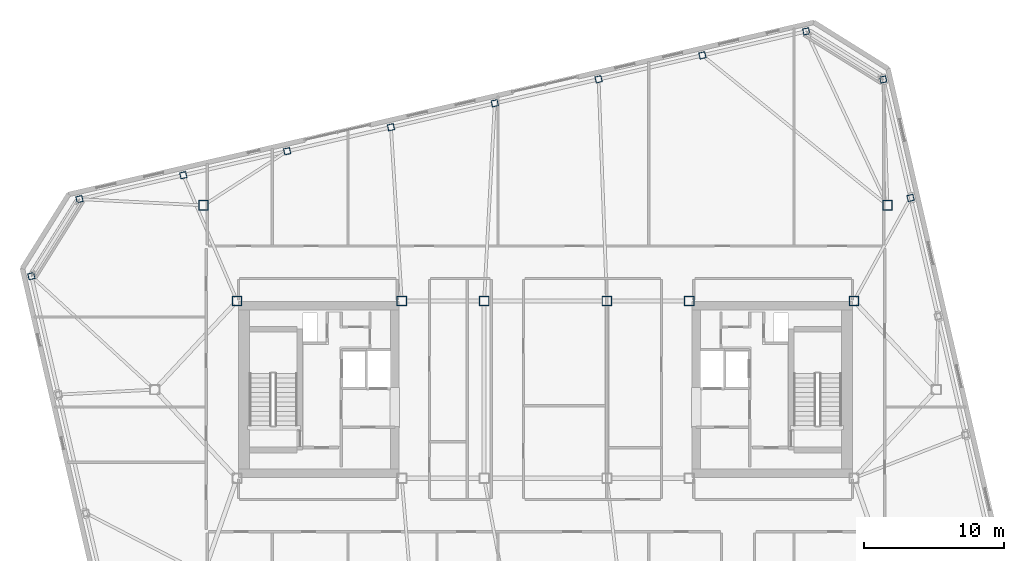
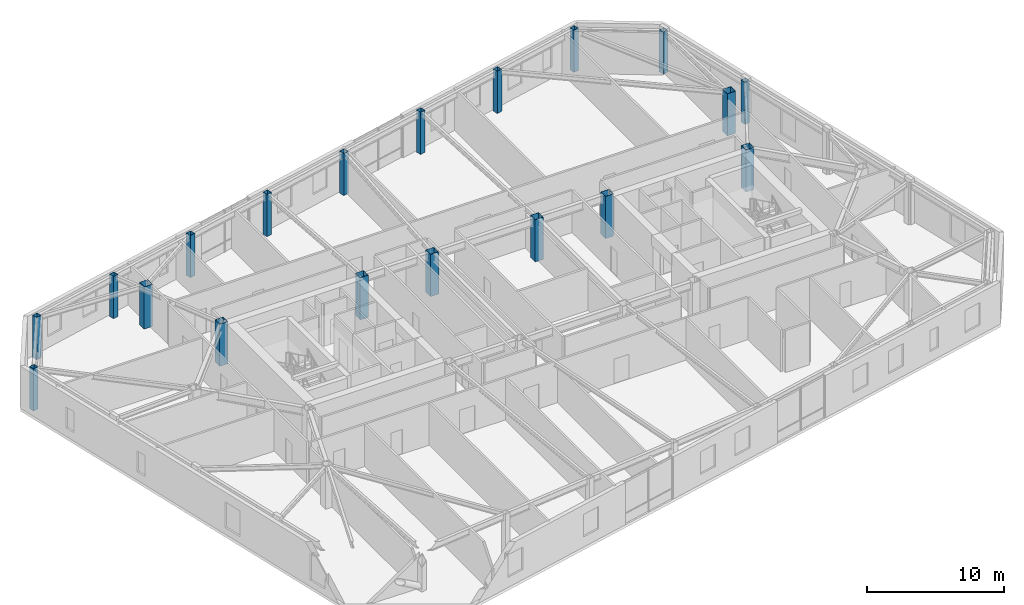
# One storey, part 2 of 23: 19 columns.
"""IFC4 building model written with IfcOpenShell, lengths in metres."""

from ifc_helpers import new_model, si_unit, direction, frame, origin, origin_2d, place, context, subcontext, project, spatial, hollow_rectangle, extrude, material, material_profile, profile_set, type_object, element, save


model = new_model("IFC4")

# Units and contexts
model_context = context("Model", 3, precision=1e-05, world=origin(), true_north=direction((0.0, 1.0)))
body_context = subcontext(model_context, "Body", "Model", "MODEL_VIEW")
ifc_project = project(units=[si_unit("LENGTHUNIT", "METRE"), si_unit("AREAUNIT", "SQUARE_METRE"), si_unit("VOLUMEUNIT", "CUBIC_METRE"), si_unit("PLANEANGLEUNIT", "RADIAN"), si_unit("MASSUNIT", "GRAM", prefix="KILO")], contexts=[model_context])

# Site, building, storey
site_placement = place(None, origin())
site = spatial("IfcSite", under=ifc_project, at=site_placement, CompositionType="ELEMENT")
building_placement = place(site_placement, origin())
building = spatial("IfcBuilding", under=site, at=building_placement, Name="Tavrogorsk Clinical Tower", CompositionType="ELEMENT")
storey_placement = place(building_placement, frame((0.0, 0.0, 301.0)))
storey = spatial("IfcBuildingStorey", under=building, at=storey_placement, Name="L70", CompositionType="ELEMENT", Elevation=301.0)

# Columns
ifc_material_1 = material(Name="Structural steel S440", Category="steel")
ifc_material_profile_1 = material_profile(ifc_material_1, hollow_rectangle(XDim=0.699951171875, YDim=0.699951171875, WallThickness=0.031982421875, at=origin_2d()), Name="BOX-700x700x32")
ifc_profile_set_1 = profile_set([ifc_material_profile_1], Name="Structural steel S440")
column_type_1 = type_object("IfcColumnType", Name="MegaCol_BOX700", PredefinedType="COLUMN", material=ifc_profile_set_1)
for number, where, z_axis, x_axis, name in (
    (1, (-22.10009765625, 6.35009765625, 0.0), (0.0, 0.0, 1.0), (1.0, 0.0, 0.0), "L70 Mega Column MC-W2"),
    (2, (-10.300048828125, 6.35009765625, 0.0), (0.0, 0.0, 1.0), (1.0, 0.0, 0.0), "L70 Mega Column MC-W4"),
    (3, (10.300048828125, 6.35009765625, 0.0), (0.0, 0.0, 1.0), (1.0, 0.0, 0.0), "L70 Mega Column MC-E2"),
    (4, (22.10009765625, 6.35009765625, 0.0), (0.0, 0.0, 1.0), (1.0, 0.0, 0.0), "L70 Mega Column MC-E4"),
    (5, (-4.39990234375, 6.35009765625, 0.0), (0.0, 0.0, 1.0), (1.0, 0.0, 0.0), "L70 Mega Column MC-C3"),
    (6, (4.39990234375, 6.35009765625, 0.0), (0.0, 0.0, 1.0), (1.0, 0.0, 0.0), "L70 Mega Column MC-C4"),
    (7, (-24.5, 13.199951171875, 0.0), (0.0, 0.0, 1.0), (1.0, 0.0, 0.0), "L70 Spine Pilotis Column MC-P3"),
    (8, (24.5, 13.199951171875, 0.0), (0.0, 0.0, 1.0), (1.0, 0.0, 0.0), "L70 Spine Pilotis Column MC-P4"),
):
    element("IfcColumn", number, at=place(storey_placement, frame(where, z_axis=z_axis, x_axis=x_axis)), inside=storey, type_object=column_type_1, Name=name, PredefinedType="COLUMN", context=body_context, shape_type="SweptSolid", body=[
        extrude(hollow_rectangle(XDim=0.699951171875, YDim=0.699951171875, WallThickness=0.031982421875, at=origin_2d()), origin(), (0.0, 0.0, 1.0), 3.739990234375),
    ])
ifc_material_2 = material(Name="Structural steel S440", Category="steel")
ifc_material_profile_2 = material_profile(ifc_material_2, hollow_rectangle(XDim=0.449951171875, YDim=0.449951171875, WallThickness=0.02197265625, at=origin_2d()), Name="BOX-450x450x22")
ifc_profile_set_2 = profile_set([ifc_material_profile_2], Name="Structural steel S440")
column_type_2 = type_object("IfcColumnType", Name="PerimCol_B5_BOX450", PredefinedType="COLUMN", material=ifc_profile_set_2)
for number, where, z_axis, x_axis, name in (
    (9, (18.681640625, 25.666259765625, 0.0), (0.0, 0.0, 1.0), (0.974370064785, 0.224951054344, 0.0), "L70 Perimeter Column N1"),
    (10, (11.2431640625, 23.948974609375, 0.0), (0.0, 0.0, 1.0), (0.974370064785, 0.224951054344, 0.0), "L70 Perimeter Column N2"),
    (11, (3.804443359375, 22.231689453125, 0.0), (0.0, 0.0, 1.0), (0.974370064785, 0.224951054344, 0.0), "L70 Perimeter Column N3"),
    (12, (-3.63427734375, 20.514404296875, 0.0), (0.0, 0.0, 1.0), (0.974370064785, 0.224951054344, 0.0), "L70 Perimeter Column N4"),
    (13, (-11.07275390625, 18.797119140625, 0.0), (0.0, 0.0, 1.0), (0.974370064785, 0.224951054344, 0.0), "L70 Perimeter Column N5"),
    (14, (-18.51123046875, 17.07958984375, 0.0), (0.0, 0.0, 1.0), (0.974370064785, 0.224951054344, 0.0), "L70 Perimeter Column N6"),
    (15, (-25.949951171875, 15.3623046875, 0.0), (0.0, 0.0, 1.0), (0.974370064785, 0.224951054344, 0.0), "L70 Perimeter Column N7"),
    (16, (-33.388671875, 13.64501953125, 0.0), (0.0, 0.0, 1.0), (0.974370064785, 0.224951054344, 0.0), "L70 Perimeter Column N8"),
    (17, (26.157958984375, 13.732177734375, 0.0), (0.0, 0.0, 1.0), (0.974370064785, 0.224951054344, 0.0), "L70 Perimeter Column E4"),
    (18, (24.198486328125, 22.218994140625, 0.0), (0.0, 0.0, 1.0), (0.974370064785, 0.224951054344, 0.0), "L70 Perimeter Column E5"),
    (19, (-36.8359375, 8.128173828125, 0.0), (0.0, 0.0, 1.0), (0.974370064785, 0.224951054344, 0.0), "L70 Perimeter Column W1"),
):
    element("IfcColumn", number, at=place(storey_placement, frame(where, z_axis=z_axis, x_axis=x_axis)), inside=storey, type_object=column_type_2, Name=name, PredefinedType="COLUMN", context=body_context, shape_type="SweptSolid", body=[
        extrude(hollow_rectangle(XDim=0.449951171875, YDim=0.449951171875, WallThickness=0.02197265625, at=origin_2d()), origin(), (0.0, 0.0, 1.0), 3.739990234375),
    ])

save(model, "model.ifc")
